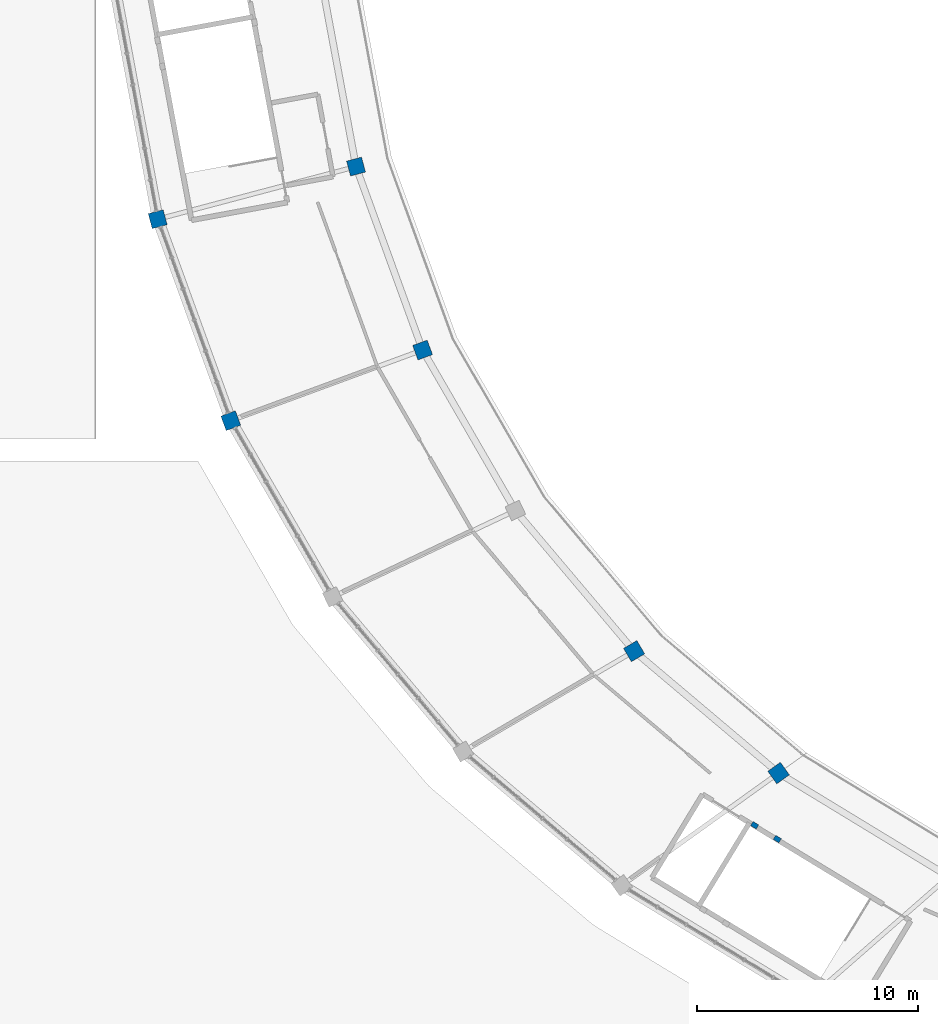
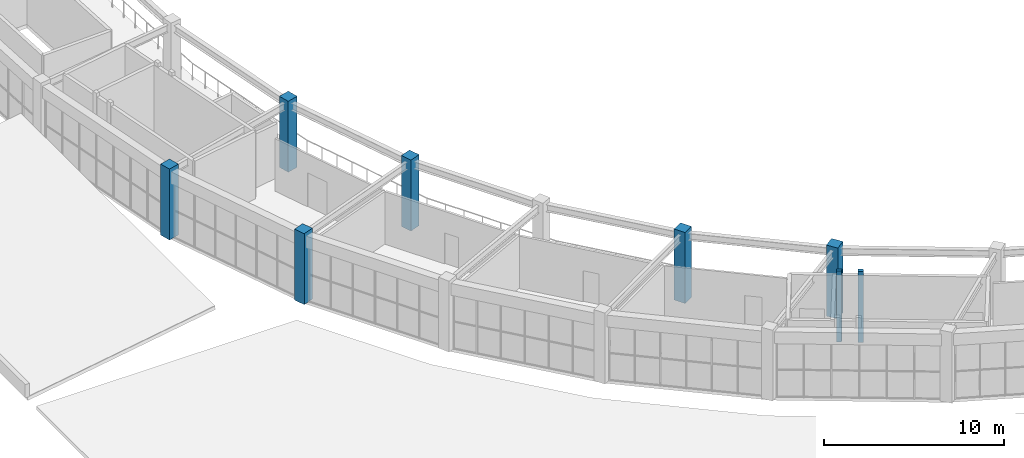
# One storey, part 2 of 45: 8 columns.
"""IFC4 building model written with IfcOpenShell, lengths in metres."""

from ifc_helpers import new_model, si_unit, direction, frame, origin, origin_2d, place, context, subcontext, project, spatial, rectangle, extrude, material, material_profile, profile_set, type_object, element, save


model = new_model("IFC4")

# Units and contexts
model_context = context("Model", 3, precision=1e-05, world=origin(), true_north=direction((0.0, 1.0)))
body_context = subcontext(model_context, "Body", "Model", "MODEL_VIEW")
ifc_project = project(units=[si_unit("LENGTHUNIT", "METRE"), si_unit("AREAUNIT", "SQUARE_METRE"), si_unit("VOLUMEUNIT", "CUBIC_METRE"), si_unit("PLANEANGLEUNIT", "RADIAN"), si_unit("MASSUNIT", "GRAM", prefix="KILO")], contexts=[model_context])

# Site, building, storey
site_placement = place(None, origin())
site = spatial("IfcSite", under=ifc_project, at=site_placement, CompositionType="ELEMENT")
building_placement = place(site_placement, origin())
building = spatial("IfcBuilding", under=site, at=building_placement, Name="Mphavela Belvedere Stadium", CompositionType="ELEMENT")
storey_placement = place(building_placement, frame((0.0, 0.0, 24.0)))
storey = spatial("IfcBuildingStorey", under=building, at=storey_placement, Name="L05", CompositionType="ELEMENT", Elevation=24.0)

# Columns
ifc_material_1 = material(Name="Concrete C40/50", Category="concrete")
ifc_material_profile_1 = material_profile(ifc_material_1, rectangle(XDim=0.300048828125, YDim=0.219970703125, at=origin_2d()), Name="RC 300x220")
ifc_profile_set_1 = profile_set([ifc_material_profile_1], Name="Concrete C40/50")
column_type_1 = type_object("IfcColumnType", Name="COL-CORE-POST-300", PredefinedType="COLUMN", material=ifc_profile_set_1)
for number, where, z_axis, x_axis, name in (
    (1, (42.879150390625, 32.381591796875, 0.0), (0.0, 0.0, 1.0), (-0.854368143929, 0.519668235165, 0.0), "Core C10 stair frame column L05-1"),
    (2, (41.85400390625, 33.005126953125, 0.0), (0.0, 0.0, 1.0), (-0.854368143929, 0.519668235165, 0.0), "Core C10 stair frame column L05-2"),
):
    element("IfcColumn", number, at=place(storey_placement, frame(where, z_axis=z_axis, x_axis=x_axis)), inside=storey, type_object=column_type_1, Name=name, PredefinedType="COLUMN", context=body_context, shape_type="SweptSolid", body=[
        extrude(rectangle(XDim=0.300048828125, YDim=0.219970703125, at=origin_2d()), origin(), (0.0, 0.0, 1.0), 4.800048828125),
    ])
ifc_material_2 = material(Name="Concrete C40/50", Category="concrete")
ifc_material_profile_2 = material_profile(ifc_material_2, rectangle(XDim=0.699951171875, YDim=0.699951171875, at=origin_2d()), Name="RC 700x700")
ifc_profile_set_2 = profile_set([ifc_material_profile_2], Name="Concrete C40/50")
column_type_2 = type_object("IfcColumnType", Name="COL-RC700", PredefinedType="COLUMN", material=ifc_profile_set_2)
for number, where, z_axis, x_axis, name in (
    (3, (23.8125, 62.818115234375, 0.0), (0.0, 0.0, 1.0), (-0.966600102017, -0.256289373133, 0.0), "Main bowl column L05 R3-27"),
    (4, (14.83544921875, 60.4375, 0.0), (0.0, 0.0, 1.0), (-0.966600102017, -0.256289373133, 0.0), "Outer colonnade column L05 R4-27"),
    (5, (26.824462890625, 54.515625, 0.0), (0.0, 0.0, 1.0), (-0.938372433776, -0.34562577382, 0.0), "Main bowl column L05 R3-28"),
    (6, (18.143798828125, 51.317626953125, 0.0), (0.0, 0.0, 1.0), (-0.938372433776, -0.34562577382, 0.0), "Outer colonnade column L05 R4-28"),
    (7, (36.399658203125, 40.88623046875, 0.0), (0.0, 0.0, 1.0), (-0.862513669207, -0.506033764121, 0.0), "Main bowl column L05 R3-30"),
    (8, (42.938720703125, 35.368408203125, 0.0), (0.0, 0.0, 1.0), (-0.812897512265, -0.582406760395, 0.0), "Main bowl column L05 R3-31"),
):
    element("IfcColumn", number, at=place(storey_placement, frame(where, z_axis=z_axis, x_axis=x_axis)), inside=storey, type_object=column_type_2, Name=name, PredefinedType="COLUMN", context=body_context, shape_type="SweptSolid", body=[
        extrude(rectangle(XDim=0.699951171875, YDim=0.699951171875, at=origin_2d()), origin(), (0.0, 0.0, 1.0), 4.800048828125),
    ])

save(model, "model.ifc")
